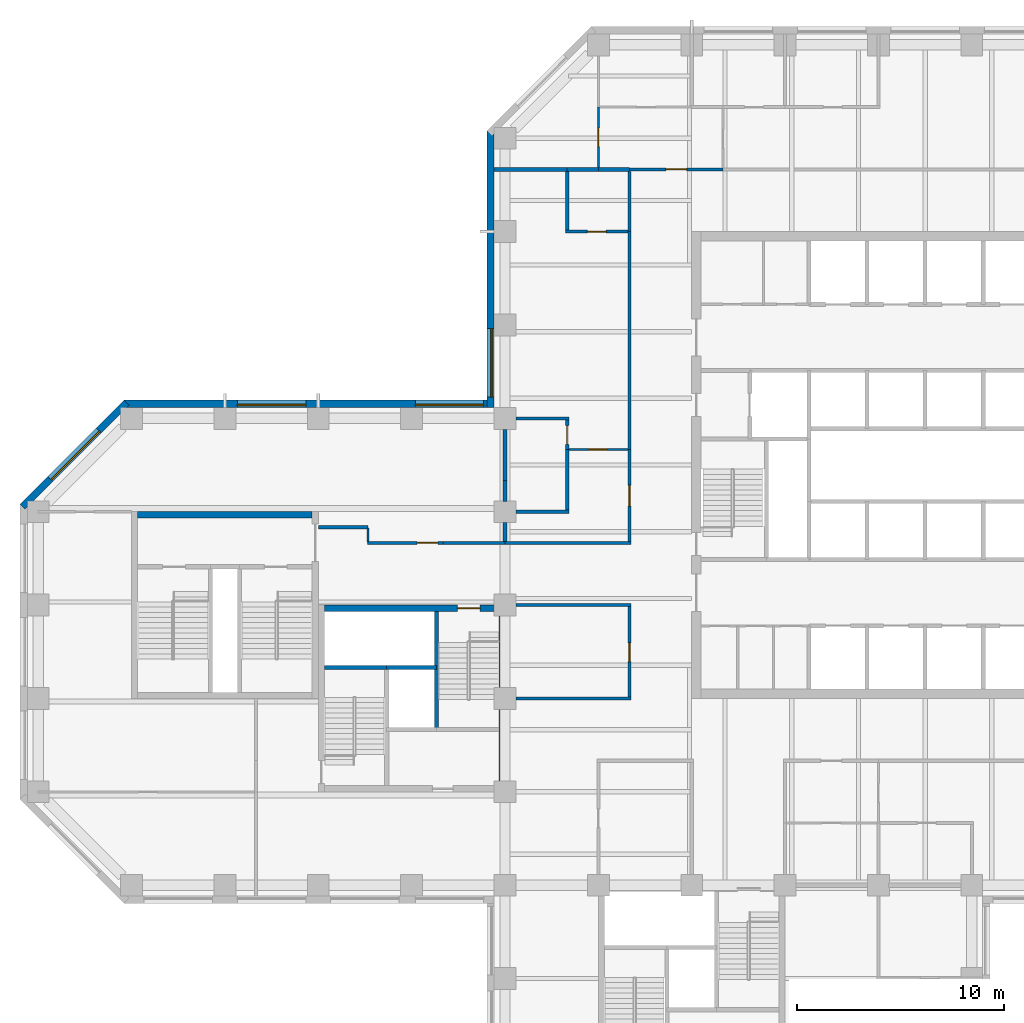
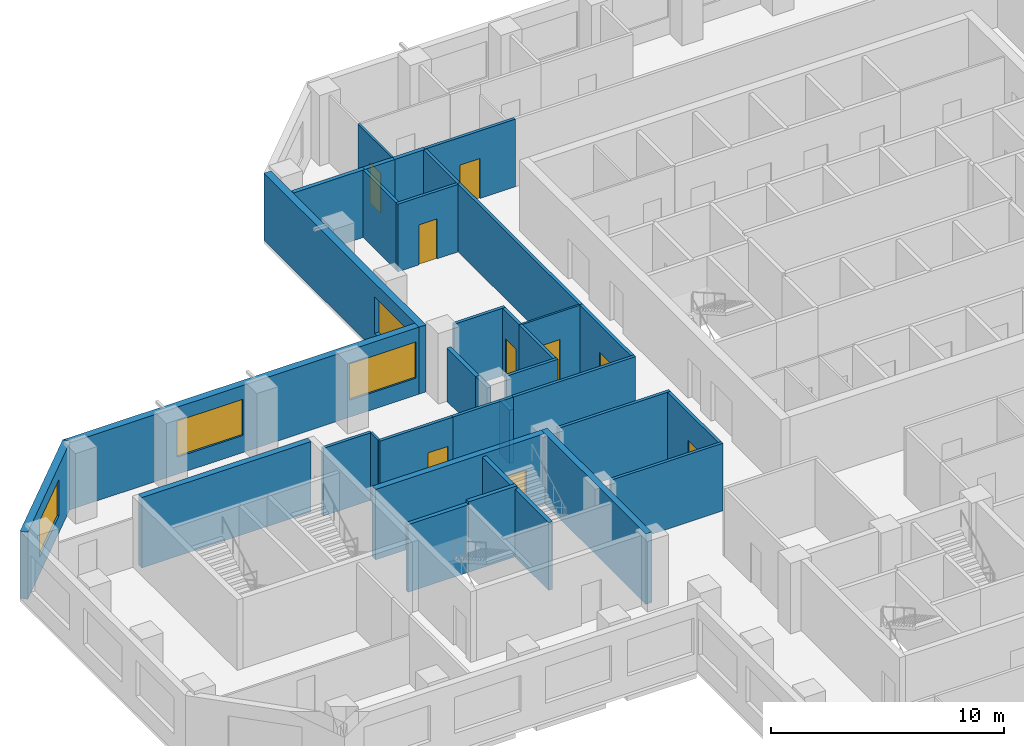
# One storey, part 6 of 11: 35 walls, 9 doors, 4 windows, 13 openings.
"""IFC4 building model written with IfcOpenShell, lengths in metres."""

from ifc_helpers import new_model, si_unit, direction, frame, frame_2d, origin, place, context, subcontext, project, spatial, rectangle, extrude, material, layer, layer_set, constituent, constituent_set, type_object, element, fill, save


model = new_model("IFC4")

# Units and contexts
model_context = context("Model", 3, precision=1e-05, world=origin(), true_north=direction((0.0, 1.0)))
body_context = subcontext(model_context, "Body", "Model", "MODEL_VIEW")
ifc_project = project(units=[si_unit("LENGTHUNIT", "METRE"), si_unit("AREAUNIT", "SQUARE_METRE"), si_unit("VOLUMEUNIT", "CUBIC_METRE"), si_unit("PLANEANGLEUNIT", "RADIAN"), si_unit("MASSUNIT", "GRAM", prefix="KILO")], contexts=[model_context])

# Site, building, storey
site_placement = place(None, origin())
site = spatial("IfcSite", under=ifc_project, at=site_placement, CompositionType="ELEMENT")
building_placement = place(site_placement, origin())
building = spatial("IfcBuilding", under=site, at=building_placement, Name="Quoin Convention Tower", CompositionType="ELEMENT")
storey_placement = place(building_placement, frame((0.0, 0.0, 78.89990234375)))
storey = spatial("IfcBuildingStorey", under=building, at=storey_placement, Name="L20", CompositionType="ELEMENT", Elevation=78.89990234375)

# Walls
ifc_material_1 = material(Name="Plasterboard")
ifc_layer_1 = layer(ifc_material_1, 0.012451171875, Name="Finish")
ifc_material_2 = material(Name="Steel stud framing", Category="steel")
ifc_layer_2 = layer(ifc_material_2, 0.125, Name="Structure")
ifc_layer_3 = layer(ifc_material_1, 0.012451171875, Name="Finish")
ifc_layer_set_1 = layer_set([ifc_layer_1, ifc_layer_2, ifc_layer_3], Name="Steel stud framing")
wall_type_1 = type_object("IfcWallType", Name="Acoustic partition 150", PredefinedType="PARTITIONING", material=ifc_layer_set_1)
for number, where, z_axis, x_axis, name in (
    (1, (36.52490234375, 58.5, 0.0), (0.0, 0.0, 1.0), (1.0, 0.0, 0.0), "pw-L20-041"),
    (2, (36.52490234375, 63.0, 0.0), (0.0, 0.0, 1.0), (1.0, 0.0, 0.0), "pw-L20-048"),
):
    element("IfcWall", number, at=place(storey_placement, frame(where, z_axis=z_axis, x_axis=x_axis)), inside=storey, type_object=wall_type_1, Name=name, PredefinedType="PARTITIONING", context=body_context, shape_type="SweptSolid", body=[
        extrude(rectangle(XDim=2.550048828125, YDim=0.14990234375, at=frame_2d((1.27490234375, 0.0))), origin(), (0.0, 0.0, 1.0), 3.550048828125),
    ])
wall_1_placement = place(storey_placement, frame((39.0, 58.574951171875, 0.0), z_axis=(0.0, 0.0, 1.0), x_axis=(0.0, 1.0, 0.0)))
element("IfcWall", 3, at=wall_1_placement, inside=storey, type_object=wall_type_1, Name="pw-L20-100", PredefinedType="PARTITIONING", context=body_context, shape_type="SweptSolid", body=[
    extrude(rectangle(XDim=2.925048828125, YDim=0.14990234375, at=frame_2d((1.46240234375, 0.0))), origin(), (0.0, 0.0, 1.0), 3.550048828125),
])

# Wall, opening, door
wall_2_placement = place(storey_placement, frame((39.0, 61.5, 0.0), z_axis=(0.0, 0.0, 1.0), x_axis=(0.0, 1.0, 0.0)))
wall_2 = element("IfcWall", 4, at=wall_2_placement, inside=storey, type_object=wall_type_1, Name="pw-L20-107", PredefinedType="PARTITIONING", context=body_context, shape_type="SweptSolid", body=[
    extrude(rectangle(XDim=1.425048828125, YDim=0.14990234375, at=frame_2d((0.71240234375, 0.0))), origin(), (0.0, 0.0, 1.0), 3.550048828125),
])
opening_1_placement = place(wall_2_placement, frame((0.25, 0.0, 0.0)))
opening_1 = element("IfcOpeningElement", 5, at=opening_1_placement, cuts=wall_2, Name="Opening DOL1-31", PredefinedType="OPENING", context=body_context, shape_type="SweptSolid", body=[
    extrude(rectangle(XDim=0.89990234375, YDim=2.10009765625, at=frame_2d((0.449951171875, 1.050048828125))), frame((0.0, 0.0849609375, 0.0), z_axis=(0.0, -1.0, 0.0), x_axis=(1.0, 0.0, 0.0)), (0.0, 0.0, 1.0), 0.169921875),
])
ifc_material_3 = material(Name="Steel door leaf", Category="steel")
door_type_1 = type_object("IfcDoorType", Name="Office door 900 x 2100", OperationType="SINGLE_SWING_RIGHT", PredefinedType="DOOR", material=ifc_material_3)
door_1_placement = place(opening_1_placement, frame((0.89990234375, 0.0, 0.0), z_axis=(0.0, 0.0, 1.0), x_axis=(-1.0, 0.0, 0.0)))
door_1 = element("IfcDoor", 6, at=door_1_placement, inside=storey, type_object=door_type_1, Name="dr-L20-43", OperationType="SINGLE_SWING_RIGHT", OverallHeight=2.10009765625, OverallWidth=0.89990234375, PredefinedType="DOOR", context=body_context, shape_type="SweptSolid", body=[
    extrude(rectangle(XDim=0.89990234375, YDim=2.10009765625, at=frame_2d((0.449951171875, 1.050048828125))), frame((0.0, 0.02490234375, 0.0), z_axis=(0.0, -1.0, 0.0), x_axis=(1.0, 0.0, 0.0)), (0.0, 0.0, 1.0), 0.050048828125),
])
fill(opening_1, door_1)

# Wall, opening, window
ifc_material_4 = material(Name="Brick masonry", Category="masonry")
ifc_layer_4 = layer(ifc_material_4, 0.35009765625)
ifc_layer_set_2 = layer_set([ifc_layer_4], Name="Brick masonry")
wall_type_2 = type_object("IfcWallType", Name="Brick facade wall", PredefinedType="STANDARD", material=ifc_layer_set_2)
wall_3_placement = place(storey_placement, frame((35.300048828125, 76.8623046875, 0.0), z_axis=(0.0, 0.0, 1.0), x_axis=(0.0, -1.0, 0.0)))
wall_3 = element("IfcWall", 7, at=wall_3_placement, inside=storey, type_object=wall_type_2, Name="fw-L20-36000_76500", PredefinedType="STANDARD", context=body_context, shape_type="SweptSolid", body=[
    extrude(rectangle(XDim=13.33740234375, YDim=0.35009765625, at=frame_2d((6.668701171875, 0.0))), origin(), (0.0, 0.0, 1.0), 3.525146484375),
])
opening_2_placement = place(wall_3_placement, frame((9.537353515625, 0.0, 0.89990234375)))
opening_2 = element("IfcOpeningElement", 8, at=opening_2_placement, cuts=wall_3, Name="Opening W-02", PredefinedType="OPENING", context=body_context, shape_type="SweptSolid", body=[
    extrude(rectangle(XDim=3.300048828125, YDim=1.89990234375, at=frame_2d((1.64990234375, 0.949951171875))), frame((0.0, 0.18505859375, 0.0), z_axis=(0.0, -1.0, 0.0), x_axis=(1.0, 0.0, 0.0)), (0.0, 0.0, 1.0), 0.3701171875),
])
ifc_material_5 = material(Name="Aluminium", Category="aluminium")
ifc_constituent_1 = constituent(ifc_material_5, Name="Frame")
ifc_material_6 = material(Name="Insulated glass", Category="glass")
ifc_constituent_2 = constituent(ifc_material_6, Name="Glazing")
ifc_constituent_set = constituent_set(constituents=[ifc_constituent_1, ifc_constituent_2], Name="Aluminium")
window_type = type_object("IfcWindowType", Name="Office window", PartitioningType="DOUBLE_PANEL_VERTICAL", PredefinedType="WINDOW", material=ifc_constituent_set)
window_1_placement = place(opening_2_placement, origin())
window_1 = element("IfcWindow", 9, at=window_1_placement, inside=storey, type_object=window_type, Name="win-L20-35300_65250", OverallHeight=1.89990234375, OverallWidth=3.300048828125, PartitioningType="SINGLE_PANEL", PredefinedType="WINDOW", context=body_context, shape_type="SweptSolid", body=[
    extrude(rectangle(XDim=3.300048828125, YDim=1.89990234375, at=frame_2d((1.64990234375, 0.949951171875))), frame((0.0, 0.0849609375, 0.0), z_axis=(0.0, -1.0, 0.0), x_axis=(1.0, 0.0, 0.0)), (0.0, 0.0, 1.0), 0.06005859375),
])
fill(opening_2, window_1)

# Wall, openings, windows
wall_4_placement = place(storey_placement, frame((35.47509765625, 63.699951171875, 0.0), z_axis=(0.0, 0.0, 1.0), x_axis=(-1.0, 0.0, 0.0)))
wall_4 = element("IfcWall", 10, at=wall_4_placement, inside=storey, type_object=wall_type_2, Name="fw-L20-36000_63000", PredefinedType="STANDARD", context=body_context, shape_type="SweptSolid", body=[
    extrude(rectangle(XDim=17.83740234375, YDim=0.35009765625, at=frame_2d((8.918701171875, 0.0))), origin(), (0.0, 0.0, 1.0), 3.525146484375),
])
opening_3_placement = place(wall_4_placement, frame((0.5, 0.0, 0.89990234375)))
opening_3 = element("IfcOpeningElement", 11, at=opening_3_placement, cuts=wall_4, Name="Opening W-02", PredefinedType="OPENING", context=body_context, shape_type="SweptSolid", body=[
    extrude(rectangle(XDim=3.300048828125, YDim=1.89990234375, at=frame_2d((1.64990234375, 0.949951171875))), frame((0.0, 0.18505859375, 0.0), z_axis=(0.0, -1.0, 0.0), x_axis=(1.0, 0.0, 0.0)), (0.0, 0.0, 1.0), 0.3701171875),
])
opening_4_placement = place(wall_4_placement, frame((9.074951171875, 0.0, 0.89990234375)))
opening_4 = element("IfcOpeningElement", 12, at=opening_4_placement, cuts=wall_4, Name="Opening W-02", PredefinedType="OPENING", context=body_context, shape_type="SweptSolid", body=[
    extrude(rectangle(XDim=3.300048828125, YDim=1.89990234375, at=frame_2d((1.64990234375, 0.949951171875))), frame((0.0, 0.18505859375, 0.0), z_axis=(0.0, -1.0, 0.0), x_axis=(1.0, 0.0, 0.0)), (0.0, 0.0, 1.0), 0.3701171875),
])
window_2_placement = place(opening_3_placement, origin())
window_2 = element("IfcWindow", 13, at=window_2_placement, inside=storey, type_object=window_type, Name="win-L20-33750_63700", OverallHeight=1.89990234375, OverallWidth=3.300048828125, PartitioningType="SINGLE_PANEL", PredefinedType="WINDOW", context=body_context, shape_type="SweptSolid", body=[
    extrude(rectangle(XDim=3.300048828125, YDim=1.89990234375, at=frame_2d((1.64990234375, 0.949951171875))), frame((0.0, 0.0849609375, 0.0), z_axis=(0.0, -1.0, 0.0), x_axis=(1.0, 0.0, 0.0)), (0.0, 0.0, 1.0), 0.06005859375),
])
fill(opening_3, window_2)
window_3_placement = place(opening_4_placement, origin())
window_3 = element("IfcWindow", 14, at=window_3_placement, inside=storey, type_object=window_type, Name="win-L20-24750_63700", OverallHeight=1.89990234375, OverallWidth=3.300048828125, PartitioningType="SINGLE_PANEL", PredefinedType="WINDOW", context=body_context, shape_type="SweptSolid", body=[
    extrude(rectangle(XDim=3.300048828125, YDim=1.89990234375, at=frame_2d((1.64990234375, 0.949951171875))), frame((0.0, 0.0849609375, 0.0), z_axis=(0.0, -1.0, 0.0), x_axis=(1.0, 0.0, 0.0)), (0.0, 0.0, 1.0), 0.06005859375),
])
fill(opening_4, window_3)

# Wall, opening, window
wall_5_placement = place(storey_placement, frame((17.76123046875, 63.751220703125, 0.0), z_axis=(0.0, 0.0, 1.0), x_axis=(-0.707106781187, -0.707106781187, 0.0)))
wall_5 = element("IfcWall", 15, at=wall_5_placement, inside=storey, type_object=wall_type_2, Name="fw-L20-18000_63000", PredefinedType="STANDARD", context=body_context, shape_type="SweptSolid", body=[
    extrude(rectangle(XDim=7.088623046875, YDim=0.35009765625, at=frame_2d((3.54443359375, 0.0))), origin(), (0.0, 0.0, 1.0), 3.525146484375),
])
opening_5_placement = place(wall_5_placement, frame((1.894287109375, 0.0, 0.89990234375)))
opening_5 = element("IfcOpeningElement", 16, at=opening_5_placement, cuts=wall_5, Name="Opening W-02", PredefinedType="OPENING", context=body_context, shape_type="SweptSolid", body=[
    extrude(rectangle(XDim=3.300048828125, YDim=1.89990234375, at=frame_2d((1.64990234375, 0.949951171875))), frame((0.0, 0.18505859375, 0.0), z_axis=(0.0, -1.0, 0.0), x_axis=(1.0, 0.0, 0.0)), (0.0, 0.0, 1.0), 0.3701171875),
])
window_4_placement = place(opening_5_placement, origin())
window_4 = element("IfcWindow", 17, at=window_4_placement, inside=storey, type_object=window_type, Name="win-L20-15255_61245", OverallHeight=1.89990234375, OverallWidth=3.300048828125, PartitioningType="SINGLE_PANEL", PredefinedType="WINDOW", context=body_context, shape_type="SweptSolid", body=[
    extrude(rectangle(XDim=3.300048828125, YDim=1.89990234375, at=frame_2d((1.64990234375, 0.949951171875))), frame((0.0, 0.0849609375, 0.0), z_axis=(0.0, -1.0, 0.0), x_axis=(1.0, 0.0, 0.0)), (0.0, 0.0, 1.0), 0.06005859375),
])
fill(opening_5, window_4)

# Walls
ifc_material_7 = material(Name="Concrete C50", Category="concrete")
ifc_layer_5 = layer(ifc_material_7, 0.199951171875)
ifc_layer_set_3 = layer_set([ifc_layer_5], Name="Concrete C50")
wall_type_3 = type_object("IfcWallType", Name="Core shaft wall", PredefinedType="SOLIDWALL", material=ifc_layer_set_3)
wall_6_placement = place(storey_placement, frame((27.300048828125, 51.0, 0.0), z_axis=(0.0, 0.0, 1.0), x_axis=(1.0, 0.0, 0.0)))
element("IfcWall", 18, at=wall_6_placement, inside=storey, type_object=wall_type_3, Name="cr-P2-L20-h6000_300", PredefinedType="SOLIDWALL", context=body_context, shape_type="SweptSolid", body=[
    extrude(rectangle(XDim=3.0, YDim=0.199951171875, at=frame_2d((1.5, 0.0))), origin(), (0.0, 0.0, 1.0), 3.550048828125),
])
wall_7_placement = place(storey_placement, frame((32.699951171875, 48.0, 0.0), z_axis=(0.0, 0.0, 1.0), x_axis=(0.0, 1.0, 0.0)))
element("IfcWall", 19, at=wall_7_placement, inside=storey, type_object=wall_type_3, Name="cr-P2-L20-v5700_3000", PredefinedType="SOLIDWALL", context=body_context, shape_type="SweptSolid", body=[
    extrude(rectangle(XDim=5.699951171875, YDim=0.199951171875, at=frame_2d((2.85009765625, 0.0))), origin(), (0.0, 0.0, 1.0), 3.550048828125),
])
ifc_layer_6 = layer(ifc_material_7, 0.199951171875)
ifc_layer_set_4 = layer_set([ifc_layer_6], Name="Concrete C50")
wall_type_4 = type_object("IfcWallType", Name="Core shaft wall to the floor level over", PredefinedType="SOLIDWALL", material=ifc_layer_set_4)
wall_8_placement = place(storey_placement, frame((30.300048828125, 51.0, 0.0), z_axis=(0.0, 0.0, 1.0), x_axis=(1.0, 0.0, 0.0)))
element("IfcWall", 20, at=wall_8_placement, inside=storey, type_object=wall_type_4, Name="cr-P2-L20-h6000_3300", PredefinedType="SOLIDWALL", context=body_context, shape_type="SweptSolid", body=[
    extrude(rectangle(XDim=2.39990234375, YDim=0.199951171875, at=frame_2d((1.199951171875, 0.0))), origin(), (0.0, 0.0, 1.0), 3.7001953125),
])
ifc_layer_7 = layer(ifc_material_1, 0.012451171875, Name="Finish")
ifc_layer_8 = layer(ifc_material_2, 0.125, Name="Structure")
ifc_layer_9 = layer(ifc_material_1, 0.012451171875, Name="Finish")
ifc_layer_set_5 = layer_set([ifc_layer_7, ifc_layer_8, ifc_layer_9], Name="Steel stud framing")
wall_type_5 = type_object("IfcWallType", Name="Corridor wall 150", PredefinedType="PARTITIONING", material=ifc_layer_set_5)
for number, where, z_axis, x_axis, name in (
    (21, (36.52490234375, 49.5, 0.0), (0.0, 0.0, 1.0), (1.0, 0.0, 0.0), "pw-L20-030"),
    (22, (36.52490234375, 54.0, 0.0), (0.0, 0.0, 1.0), (1.0, 0.0, 0.0), "pw-L20-035"),
):
    element("IfcWall", number, at=place(storey_placement, frame(where, z_axis=z_axis, x_axis=x_axis)), inside=storey, type_object=wall_type_5, Name=name, PredefinedType="PARTITIONING", context=body_context, shape_type="SweptSolid", body=[
        extrude(rectangle(XDim=5.550048828125, YDim=0.14990234375, at=frame_2d((2.77490234375, 0.0))), origin(), (0.0, 0.0, 1.0), 3.550048828125),
    ])

# Wall, opening, door
wall_9_placement = place(storey_placement, frame((29.3798828125, 57.0, 0.0), z_axis=(0.0, 0.0, 1.0), x_axis=(1.0, 0.0, 0.0)))
wall_9 = element("IfcWall", 23, at=wall_9_placement, inside=storey, type_object=wall_type_5, Name="pw-L20-038", PredefinedType="PARTITIONING", context=body_context, shape_type="SweptSolid", body=[
    extrude(rectangle(XDim=3.6201171875, YDim=0.14990234375, at=frame_2d((1.81005859375, 0.0))), origin(), (0.0, 0.0, 1.0), 3.550048828125),
])
opening_6_placement = place(wall_9_placement, frame((2.3798828125, 0.0, 0.0)))
opening_6 = element("IfcOpeningElement", 24, at=opening_6_placement, cuts=wall_9, Name="Opening DOL1-13", PredefinedType="OPENING", context=body_context, shape_type="SweptSolid", body=[
    extrude(rectangle(XDim=1.0, YDim=2.10009765625, at=frame_2d((0.5, 1.050048828125))), frame((0.0, 0.0849609375, 0.0), z_axis=(0.0, -1.0, 0.0), x_axis=(1.0, 0.0, 0.0)), (0.0, 0.0, 1.0), 0.169921875),
])
door_type_2 = type_object("IfcDoorType", Name="Tenancy entrance door 1000 x 2100", OperationType="DOUBLE_DOOR_SINGLE_SWING", PredefinedType="DOOR", material=ifc_material_3)
door_2_placement = place(opening_6_placement, origin())
door_2 = element("IfcDoor", 25, at=door_2_placement, inside=storey, type_object=door_type_2, Name="dr-L20-w01", OperationType="DOUBLE_DOOR_SINGLE_SWING", OverallHeight=2.10009765625, OverallWidth=1.0, PredefinedType="DOOR", context=body_context, shape_type="SweptSolid", body=[
    extrude(rectangle(XDim=1.0, YDim=2.10009765625, at=frame_2d((0.5, 1.050048828125))), frame((0.0, 0.02490234375, 0.0), z_axis=(0.0, -1.0, 0.0), x_axis=(1.0, 0.0, 0.0)), (0.0, 0.0, 1.0), 0.050048828125),
])
fill(opening_6, door_2)

# Walls
wall_10_placement = place(storey_placement, frame((33.0, 57.0, 0.0), z_axis=(0.0, 0.0, 1.0), x_axis=(1.0, 0.0, 0.0)))
element("IfcWall", 26, at=wall_10_placement, inside=storey, type_object=wall_type_5, Name="pw-L20-039", PredefinedType="PARTITIONING", context=body_context, shape_type="SweptSolid", body=[
    extrude(rectangle(XDim=3.0, YDim=0.14990234375, at=frame_2d((1.5, 0.0))), origin(), (0.0, 0.0, 1.0), 3.550048828125),
])
wall_11_placement = place(storey_placement, frame((36.0, 57.0, 0.0), z_axis=(0.0, 0.0, 1.0), x_axis=(1.0, 0.0, 0.0)))
element("IfcWall", 27, at=wall_11_placement, inside=storey, type_object=wall_type_5, Name="pw-L20-040", PredefinedType="PARTITIONING", context=body_context, shape_type="SweptSolid", body=[
    extrude(rectangle(XDim=6.074951171875, YDim=0.14990234375, at=frame_2d((3.03759765625, 0.0))), origin(), (0.0, 0.0, 1.0), 3.550048828125),
])

# Wall, opening, door
wall_12_placement = place(storey_placement, frame((42.0, 75.0, 0.0), z_axis=(0.0, 0.0, 1.0), x_axis=(1.0, 0.0, 0.0)))
wall_12 = element("IfcWall", 28, at=wall_12_placement, inside=storey, type_object=wall_type_5, Name="pw-L20-054", PredefinedType="PARTITIONING", context=body_context, shape_type="SweptSolid", body=[
    extrude(rectangle(XDim=4.5, YDim=0.14990234375, at=frame_2d((2.25, 0.0))), origin(), (0.0, 0.0, 1.0), 3.550048828125),
])
opening_7_placement = place(wall_12_placement, frame((1.75, 0.0, 0.0)))
opening_7 = element("IfcOpeningElement", 29, at=opening_7_placement, cuts=wall_12, Name="Opening DOL1-18", PredefinedType="OPENING", context=body_context, shape_type="SweptSolid", body=[
    extrude(rectangle(XDim=1.0, YDim=2.10009765625, at=frame_2d((0.5, 1.050048828125))), frame((0.0, 0.0849609375, 0.0), z_axis=(0.0, -1.0, 0.0), x_axis=(1.0, 0.0, 0.0)), (0.0, 0.0, 1.0), 0.169921875),
])
door_3_placement = place(opening_7_placement, origin())
door_3 = element("IfcDoor", 30, at=door_3_placement, inside=storey, type_object=door_type_2, Name="dr-L20-33", OperationType="DOUBLE_DOOR_SINGLE_SWING", OverallHeight=2.10009765625, OverallWidth=1.0, PredefinedType="DOOR", context=body_context, shape_type="SweptSolid", body=[
    extrude(rectangle(XDim=1.0, YDim=2.10009765625, at=frame_2d((0.5, 1.050048828125))), frame((0.0, 0.02490234375, 0.0), z_axis=(0.0, -1.0, 0.0), x_axis=(1.0, 0.0, 0.0)), (0.0, 0.0, 1.0), 0.050048828125),
])
fill(opening_7, door_3)

wall_13_placement = place(storey_placement, frame((42.0, 49.574951171875, 0.0), z_axis=(0.0, 0.0, 1.0), x_axis=(0.0, 1.0, 0.0)))
wall_13 = element("IfcWall", 31, at=wall_13_placement, inside=storey, type_object=wall_type_5, Name="pw-L20-090", PredefinedType="PARTITIONING", context=body_context, shape_type="SweptSolid", body=[
    extrude(rectangle(XDim=4.35009765625, YDim=0.14990234375, at=frame_2d((2.175048828125, 0.0))), origin(), (0.0, 0.0, 1.0), 3.550048828125),
])
opening_8_placement = place(wall_13_placement, frame((1.699951171875, 0.0, 0.0)))
opening_8 = element("IfcOpeningElement", 32, at=opening_8_placement, cuts=wall_13, Name="Opening DOL1-28", PredefinedType="OPENING", context=body_context, shape_type="SweptSolid", body=[
    extrude(rectangle(XDim=0.89990234375, YDim=2.10009765625, at=frame_2d((0.449951171875, 1.050048828125))), frame((0.0, 0.0849609375, 0.0), z_axis=(0.0, -1.0, 0.0), x_axis=(1.0, 0.0, 0.0)), (0.0, 0.0, 1.0), 0.169921875),
])
door_4_placement = place(opening_8_placement, origin())
door_4 = element("IfcDoor", 33, at=door_4_placement, inside=storey, type_object=door_type_1, Name="dr-L20-01", OperationType="SINGLE_SWING_RIGHT", OverallHeight=2.10009765625, OverallWidth=0.89990234375, PredefinedType="DOOR", context=body_context, shape_type="SweptSolid", body=[
    extrude(rectangle(XDim=0.89990234375, YDim=2.10009765625, at=frame_2d((0.449951171875, 1.050048828125))), frame((0.0, 0.02490234375, 0.0), z_axis=(0.0, -1.0, 0.0), x_axis=(1.0, 0.0, 0.0)), (0.0, 0.0, 1.0), 0.050048828125),
])
fill(opening_8, door_4)

wall_14_placement = place(storey_placement, frame((42.0, 57.074951171875, 0.0), z_axis=(0.0, 0.0, 1.0), x_axis=(0.0, 1.0, 0.0)))
wall_14 = element("IfcWall", 34, at=wall_14_placement, inside=storey, type_object=wall_type_5, Name="pw-L20-099", PredefinedType="PARTITIONING", context=body_context, shape_type="SweptSolid", body=[
    extrude(rectangle(XDim=4.425048828125, YDim=0.14990234375, at=frame_2d((2.21240234375, 0.0))), origin(), (0.0, 0.0, 1.0), 3.550048828125),
])
opening_9_placement = place(wall_14_placement, frame((1.699951171875, 0.0, 0.0)))
opening_9 = element("IfcOpeningElement", 35, at=opening_9_placement, cuts=wall_14, Name="Opening DOL1-30", PredefinedType="OPENING", context=body_context, shape_type="SweptSolid", body=[
    extrude(rectangle(XDim=1.0, YDim=2.10009765625, at=frame_2d((0.5, 1.050048828125))), frame((0.0, 0.0849609375, 0.0), z_axis=(0.0, -1.0, 0.0), x_axis=(1.0, 0.0, 0.0)), (0.0, 0.0, 1.0), 0.169921875),
])
door_5_placement = place(opening_9_placement, origin())
door_5 = element("IfcDoor", 36, at=door_5_placement, inside=storey, type_object=door_type_2, Name="dr-L20-40", OperationType="DOUBLE_DOOR_SINGLE_SWING", OverallHeight=2.10009765625, OverallWidth=1.0, PredefinedType="DOOR", context=body_context, shape_type="SweptSolid", body=[
    extrude(rectangle(XDim=1.0, YDim=2.10009765625, at=frame_2d((0.5, 1.050048828125))), frame((0.0, 0.02490234375, 0.0), z_axis=(0.0, -1.0, 0.0), x_axis=(1.0, 0.0, 0.0)), (0.0, 0.0, 1.0), 0.050048828125),
])
fill(opening_9, door_5)

# Walls
wall_15_placement = place(storey_placement, frame((42.0, 61.5, 0.0), z_axis=(0.0, 0.0, 1.0), x_axis=(0.0, 1.0, 0.0)))
element("IfcWall", 37, at=wall_15_placement, inside=storey, type_object=wall_type_5, Name="pw-L20-108", PredefinedType="PARTITIONING", context=body_context, shape_type="SweptSolid", body=[
    extrude(rectangle(XDim=10.5, YDim=0.14990234375, at=frame_2d((5.25, 0.0))), origin(), (0.0, 0.0, 1.0), 3.550048828125),
])
wall_16_placement = place(storey_placement, frame((42.0, 72.0, 0.0), z_axis=(0.0, 0.0, 1.0), x_axis=(0.0, 1.0, 0.0)))
element("IfcWall", 38, at=wall_16_placement, inside=storey, type_object=wall_type_5, Name="pw-L20-109", PredefinedType="PARTITIONING", context=body_context, shape_type="SweptSolid", body=[
    extrude(rectangle(XDim=2.89990234375, YDim=0.14990234375, at=frame_2d((1.449951171875, 0.0))), origin(), (0.0, 0.0, 1.0), 3.550048828125),
])
wall_17_placement = place(storey_placement, frame((27.0, 57.75, 0.0), z_axis=(0.0, 0.0, 1.0), x_axis=(1.0, 0.0, 0.0)))
element("IfcWall", 39, at=wall_17_placement, inside=storey, type_object=wall_type_5, Name="pw-L20-w03", PredefinedType="PARTITIONING", context=body_context, shape_type="SweptSolid", body=[
    extrude(rectangle(XDim=2.39990234375, YDim=0.14990234375, at=frame_2d((1.199951171875, 0.0))), origin(), (0.0, 0.0, 1.0), 3.550048828125),
])

# Wall, opening, door
ifc_material_8 = material(Name="Concrete C65", Category="concrete")
ifc_layer_10 = layer(ifc_material_8, 0.300048828125)
ifc_layer_set_6 = layer_set([ifc_layer_10], Name="Concrete C65")
wall_type_6 = type_object("IfcWallType", Name="RC CORE WALL 300 C65", PredefinedType="SHEAR", material=ifc_layer_set_6)
wall_18_placement = place(storey_placement, frame((27.300048828125, 53.85009765625, 0.0), z_axis=(0.0, 0.0, 1.0), x_axis=(1.0, 0.0, 0.0)))
wall_18 = element("IfcWall", 40, at=wall_18_placement, inside=storey, type_object=wall_type_6, Name="cwl-P2-L20-N", PredefinedType="SHEAR", context=body_context, shape_type="SweptSolid", body=[
    extrude(rectangle(XDim=8.39990234375, YDim=0.300048828125, at=frame_2d((4.199951171875, 0.0))), origin(), (0.0, 0.0, 1.0), 3.7001953125),
])
opening_10_placement = place(wall_18_placement, frame((6.39990234375, 0.0, 0.0)))
opening_10 = element("IfcOpeningElement", 41, at=opening_10_placement, cuts=wall_18, Name="Opening SD4", PredefinedType="OPENING", context=body_context, shape_type="SweptSolid", body=[
    extrude(rectangle(XDim=1.10009765625, YDim=2.10009765625, at=frame_2d((0.550048828125, 1.050048828125))), frame((0.0, 0.159912109375, 0.0), z_axis=(0.0, -1.0, 0.0), x_axis=(1.0, 0.0, 0.0)), (0.0, 0.0, 1.0), 0.320068359375),
])
door_type_3 = type_object("IfcDoorType", Name="Stair door 1100 x 2100", OperationType="SINGLE_SWING_RIGHT", PredefinedType="DOOR", material=ifc_material_3)
door_6_placement = place(opening_10_placement, frame((1.10009765625, 0.0, 0.0), z_axis=(0.0, 0.0, 1.0), x_axis=(-1.0, 0.0, 0.0)))
door_6 = element("IfcDoor", 42, at=door_6_placement, inside=storey, type_object=door_type_3, Name="cd-P2-L20-SB-N", OperationType="SINGLE_SWING_LEFT", OverallHeight=2.10009765625, OverallWidth=1.10009765625, PredefinedType="DOOR", context=body_context, shape_type="SweptSolid", body=[
    extrude(rectangle(XDim=1.10009765625, YDim=2.10009765625, at=frame_2d((0.550048828125, 1.050048828125))), frame((0.0, 0.02490234375, 0.0), z_axis=(0.0, -1.0, 0.0), x_axis=(1.0, 0.0, 0.0)), (0.0, 0.0, 1.0), 0.050048828125),
])
fill(opening_10, door_6)

# Walls
wall_19_placement = place(storey_placement, frame((35.85009765625, 45.0, 0.0), z_axis=(0.0, 0.0, 1.0), x_axis=(0.0, 1.0, 0.0)))
element("IfcWall", 43, at=wall_19_placement, inside=storey, type_object=wall_type_6, Name="cwl-P2-L20-E", PredefinedType="SHEAR", context=body_context, shape_type="SweptSolid", body=[
    extrude(rectangle(XDim=9.0, YDim=0.300048828125, at=frame_2d((4.5, 0.0))), origin(), (0.0, 0.0, 1.0), 3.7001953125),
])
wall_20_placement = place(storey_placement, frame((18.300048828125, 58.35009765625, 0.0), z_axis=(0.0, 0.0, 1.0), x_axis=(1.0, 0.0, 0.0)))
element("IfcWall", 44, at=wall_20_placement, inside=storey, type_object=wall_type_6, Name="cwl-P6-L20-N", PredefinedType="SHEAR", context=body_context, shape_type="SweptSolid", body=[
    extrude(rectangle(XDim=8.39990234375, YDim=0.300048828125, at=frame_2d((4.199951171875, 0.0))), origin(), (0.0, 0.0, 1.0), 3.7001953125),
])

# Wall, opening, door
ifc_layer_11 = layer(ifc_material_1, 0.012451171875, Name="Finish")
ifc_layer_12 = layer(ifc_material_2, 0.074951171875, Name="Structure")
ifc_layer_13 = layer(ifc_material_1, 0.012451171875, Name="Finish")
ifc_layer_set_7 = layer_set([ifc_layer_11, ifc_layer_12, ifc_layer_13], Name="Steel stud framing")
wall_type_7 = type_object("IfcWallType", Name="Stud partition 100", PredefinedType="PARTITIONING", material=ifc_layer_set_7)
wall_21_placement = place(storey_placement, frame((39.074951171875, 61.5, 0.0), z_axis=(0.0, 0.0, 1.0), x_axis=(1.0, 0.0, 0.0)))
wall_21 = element("IfcWall", 45, at=wall_21_placement, inside=storey, type_object=wall_type_7, Name="pw-L20-047", PredefinedType="PARTITIONING", context=body_context, shape_type="SweptSolid", body=[
    extrude(rectangle(XDim=2.85009765625, YDim=0.10009765625, at=frame_2d((1.425048828125, 0.0))), origin(), (0.0, 0.0, 1.0), 3.550048828125),
])
opening_11_placement = place(wall_21_placement, frame((0.949951171875, 0.0, 0.0)))
opening_11 = element("IfcOpeningElement", 46, at=opening_11_placement, cuts=wall_21, Name="Opening DOL1-15", PredefinedType="OPENING", context=body_context, shape_type="SweptSolid", body=[
    extrude(rectangle(XDim=0.89990234375, YDim=2.10009765625, at=frame_2d((0.449951171875, 1.050048828125))), frame((0.0, 0.06005859375, 0.0), z_axis=(0.0, -1.0, 0.0), x_axis=(1.0, 0.0, 0.0)), (0.0, 0.0, 1.0), 0.1201171875),
])
door_7_placement = place(opening_11_placement, origin())
door_7 = element("IfcDoor", 47, at=door_7_placement, inside=storey, type_object=door_type_1, Name="dr-L20-41", OperationType="SINGLE_SWING_RIGHT", OverallHeight=2.10009765625, OverallWidth=0.89990234375, PredefinedType="DOOR", context=body_context, shape_type="SweptSolid", body=[
    extrude(rectangle(XDim=0.89990234375, YDim=2.10009765625, at=frame_2d((0.449951171875, 1.050048828125))), frame((0.0, 0.02490234375, 0.0), z_axis=(0.0, -1.0, 0.0), x_axis=(1.0, 0.0, 0.0)), (0.0, 0.0, 1.0), 0.050048828125),
])
fill(opening_11, door_7)

wall_22_placement = place(storey_placement, frame((40.5, 75.10009765625, 0.0), z_axis=(0.0, 0.0, 1.0), x_axis=(0.0, 1.0, 0.0)))
wall_22 = element("IfcWall", 48, at=wall_22_placement, inside=storey, type_object=wall_type_7, Name="pw-L20-115", PredefinedType="PARTITIONING", context=body_context, shape_type="SweptSolid", body=[
    extrude(rectangle(XDim=2.89990234375, YDim=0.10009765625, at=frame_2d((1.449951171875, 0.0))), origin(), (0.0, 0.0, 1.0), 3.550048828125),
])
opening_12_placement = place(wall_22_placement, frame((1.0, 0.0, 0.0)))
opening_12 = element("IfcOpeningElement", 49, at=opening_12_placement, cuts=wall_22, Name="Opening DOL1-34", PredefinedType="OPENING", context=body_context, shape_type="SweptSolid", body=[
    extrude(rectangle(XDim=0.89990234375, YDim=2.10009765625, at=frame_2d((0.449951171875, 1.050048828125))), frame((0.0, 0.06005859375, 0.0), z_axis=(0.0, -1.0, 0.0), x_axis=(1.0, 0.0, 0.0)), (0.0, 0.0, 1.0), 0.1201171875),
])
door_8_placement = place(opening_12_placement, origin())
door_8 = element("IfcDoor", 50, at=door_8_placement, inside=storey, type_object=door_type_1, Name="dr-L20-35", OperationType="SINGLE_SWING_RIGHT", OverallHeight=2.10009765625, OverallWidth=0.89990234375, PredefinedType="DOOR", context=body_context, shape_type="SweptSolid", body=[
    extrude(rectangle(XDim=0.89990234375, YDim=2.10009765625, at=frame_2d((0.449951171875, 1.050048828125))), frame((0.0, 0.02490234375, 0.0), z_axis=(0.0, -1.0, 0.0), x_axis=(1.0, 0.0, 0.0)), (0.0, 0.0, 1.0), 0.050048828125),
])
fill(opening_12, door_8)

# Walls
wall_23_placement = place(storey_placement, frame((29.39990234375, 57.715087890625, 0.0), z_axis=(0.0, 0.0, 1.0), x_axis=(0.0, -1.0, 0.0)))
element("IfcWall", 51, at=wall_23_placement, inside=storey, type_object=wall_type_7, Name="pw-L20-w04", PredefinedType="PARTITIONING", context=body_context, shape_type="SweptSolid", body=[
    extrude(rectangle(XDim=0.68017578125, YDim=0.10009765625, at=frame_2d((0.340087890625, 0.0))), origin(), (0.0, 0.0, 1.0), 3.550048828125),
])
ifc_layer_14 = layer(ifc_material_1, 0.012451171875, Name="Finish")
ifc_layer_15 = layer(ifc_material_2, 0.175048828125, Name="Structure")
ifc_layer_16 = layer(ifc_material_1, 0.012451171875, Name="Finish")
ifc_layer_set_8 = layer_set([ifc_layer_14, ifc_layer_15, ifc_layer_16], Name="Steel stud framing")
wall_type_8 = type_object("IfcWallType", Name="Tenancy demising wall 200", PredefinedType="PARTITIONING", material=ifc_layer_set_8)
wall_24_placement = place(storey_placement, frame((35.47509765625, 75.0, 0.0), z_axis=(0.0, 0.0, 1.0), x_axis=(1.0, 0.0, 0.0)))
element("IfcWall", 52, at=wall_24_placement, inside=storey, type_object=wall_type_8, Name="pw-L20-051", PredefinedType="PARTITIONING", context=body_context, shape_type="SweptSolid", body=[
    extrude(rectangle(XDim=3.52490234375, YDim=0.199951171875, at=frame_2d((1.762451171875, 0.0))), origin(), (0.0, 0.0, 1.0), 3.550048828125),
])
for number, where, z_axis, x_axis, name in (
    (53, (39.0, 75.0, 0.0), (0.0, 0.0, 1.0), (1.0, 0.0, 0.0), "pw-L20-052"),
    (54, (40.5, 75.0, 0.0), (0.0, 0.0, 1.0), (1.0, 0.0, 0.0), "pw-L20-053"),
):
    element("IfcWall", number, at=place(storey_placement, frame(where, z_axis=z_axis, x_axis=x_axis)), inside=storey, type_object=wall_type_8, Name=name, PredefinedType="PARTITIONING", context=body_context, shape_type="SweptSolid", body=[
        extrude(rectangle(XDim=1.5, YDim=0.199951171875, at=frame_2d((0.75, 0.0))), origin(), (0.0, 0.0, 1.0), 3.550048828125),
    ])
ifc_layer_17 = layer(ifc_material_1, 0.012451171875, Name="Finish")
ifc_layer_18 = layer(ifc_material_2, 0.175048828125, Name="Structure")
ifc_layer_19 = layer(ifc_material_1, 0.012451171875, Name="Finish")
ifc_layer_set_9 = layer_set([ifc_layer_17, ifc_layer_18, ifc_layer_19], Name="Steel stud framing")
wall_type_9 = type_object("IfcWallType", Name="Tenancy demising wall 200 under beam 750", PredefinedType="PARTITIONING", material=ifc_layer_set_9)
wall_25_placement = place(storey_placement, frame((36.0, 57.074951171875, 0.0), z_axis=(0.0, 0.0, 1.0), x_axis=(0.0, 1.0, 0.0)))
element("IfcWall", 55, at=wall_25_placement, inside=storey, type_object=wall_type_9, Name="pw-L20-098", PredefinedType="PARTITIONING", context=body_context, shape_type="SweptSolid", body=[
    extrude(rectangle(XDim=0.900146484375, YDim=0.199951171875, at=frame_2d((0.4501953125, 0.0))), origin(), (0.0, 0.0, 1.0), 2.800048828125),
])
wall_26_placement = place(storey_placement, frame((36.0, 58.9951171875, 0.0), z_axis=(0.0, 0.0, 1.0), x_axis=(0.0, 1.0, 0.0)))
element("IfcWall", 56, at=wall_26_placement, inside=storey, type_object=wall_type_9, Name="pw-L20-101", PredefinedType="PARTITIONING", context=body_context, shape_type="SweptSolid", body=[
    extrude(rectangle(XDim=1.0048828125, YDim=0.199951171875, at=frame_2d((0.50244140625, 0.0))), origin(), (0.0, 0.0, 1.0), 2.800048828125),
])
wall_27_placement = place(storey_placement, frame((36.0, 60.0, 0.0), z_axis=(0.0, 0.0, 1.0), x_axis=(0.0, 1.0, 0.0)))
element("IfcWall", 57, at=wall_27_placement, inside=storey, type_object=wall_type_9, Name="pw-L20-103", PredefinedType="PARTITIONING", context=body_context, shape_type="SweptSolid", body=[
    extrude(rectangle(XDim=2.47509765625, YDim=0.199951171875, at=frame_2d((1.237548828125, 0.0))), origin(), (0.0, 0.0, 1.0), 2.800048828125),
])

# Wall, opening, door
ifc_layer_20 = layer(ifc_material_1, 0.012451171875, Name="Finish")
ifc_layer_21 = layer(ifc_material_2, 0.125, Name="Structure")
ifc_layer_22 = layer(ifc_material_1, 0.012451171875, Name="Finish")
ifc_layer_set_10 = layer_set([ifc_layer_20, ifc_layer_21, ifc_layer_22], Name="Steel stud framing")
wall_type_10 = type_object("IfcWallType", Name="Wet area partition 150", PredefinedType="PARTITIONING", material=ifc_layer_set_10)
wall_28_placement = place(storey_placement, frame((38.925048828125, 72.0, 0.0), z_axis=(0.0, 0.0, 1.0), x_axis=(1.0, 0.0, 0.0)))
wall_28 = element("IfcWall", 58, at=wall_28_placement, inside=storey, type_object=wall_type_10, Name="pw-L20-049", PredefinedType="PARTITIONING", context=body_context, shape_type="SweptSolid", body=[
    extrude(rectangle(XDim=3.0, YDim=0.14990234375, at=frame_2d((1.5, 0.0))), origin(), (0.0, 0.0, 1.0), 3.550048828125),
])
opening_13_placement = place(wall_28_placement, frame((1.050048828125, 0.0, 0.0)))
opening_13 = element("IfcOpeningElement", 59, at=opening_13_placement, cuts=wall_28, Name="Opening DOL1-16", PredefinedType="OPENING", context=body_context, shape_type="SweptSolid", body=[
    extrude(rectangle(XDim=0.89990234375, YDim=2.10009765625, at=frame_2d((0.449951171875, 1.050048828125))), frame((0.0, 0.0849609375, 0.0), z_axis=(0.0, -1.0, 0.0), x_axis=(1.0, 0.0, 0.0)), (0.0, 0.0, 1.0), 0.169921875),
])
door_9_placement = place(opening_13_placement, frame((0.89990234375, 0.0, 0.0), z_axis=(0.0, 0.0, 1.0), x_axis=(-1.0, 0.0, 0.0)))
door_9 = element("IfcDoor", 60, at=door_9_placement, inside=storey, type_object=door_type_1, Name="dr-L20-42", OperationType="SINGLE_SWING_LEFT", OverallHeight=2.10009765625, OverallWidth=0.89990234375, PredefinedType="DOOR", context=body_context, shape_type="SweptSolid", body=[
    extrude(rectangle(XDim=0.89990234375, YDim=2.10009765625, at=frame_2d((0.449951171875, 1.050048828125))), frame((0.0, 0.02490234375, 0.0), z_axis=(0.0, -1.0, 0.0), x_axis=(1.0, 0.0, 0.0)), (0.0, 0.0, 1.0), 0.050048828125),
])
fill(opening_13, door_9)

# Wall
wall_29_placement = place(storey_placement, frame((39.0, 72.074951171875, 0.0), z_axis=(0.0, 0.0, 1.0), x_axis=(0.0, 1.0, 0.0)))
element("IfcWall", 61, at=wall_29_placement, inside=storey, type_object=wall_type_10, Name="pw-L20-111", PredefinedType="PARTITIONING", context=body_context, shape_type="SweptSolid", body=[
    extrude(rectangle(XDim=2.824951171875, YDim=0.14990234375, at=frame_2d((1.41259765625, 0.0))), origin(), (0.0, 0.0, 1.0), 3.550048828125),
])

save(model, "model.ifc")
